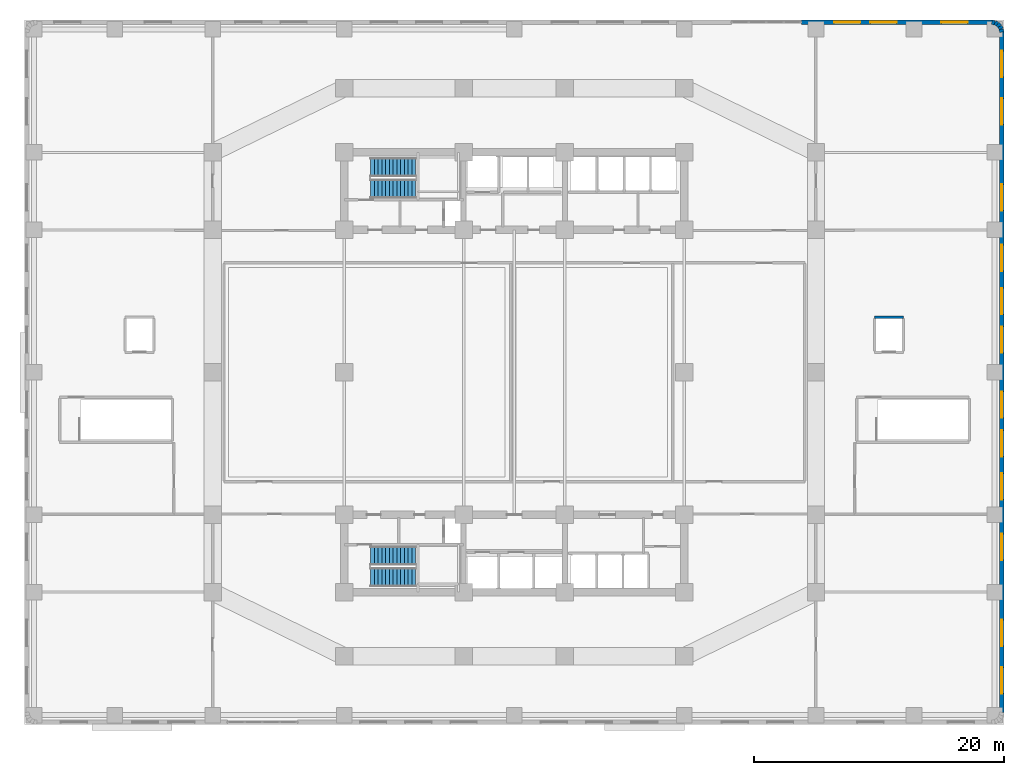
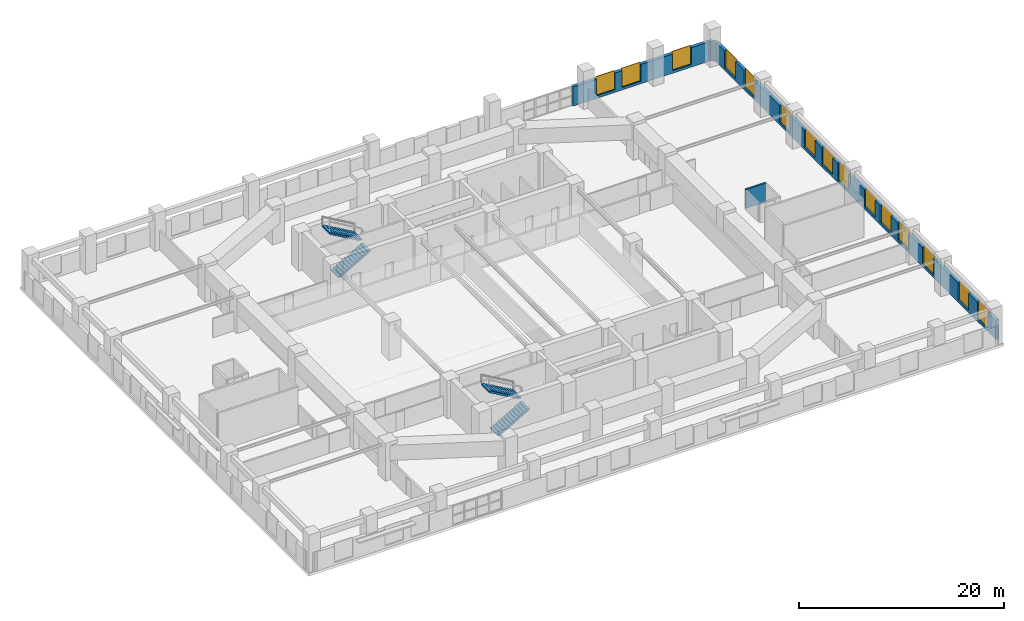
# One storey, part 10 of 13: 15 windows, 8 walls, 4 stair flights, 15 openings, 2 elements without a shape of their own.
"""IFC4 building model written with IfcOpenShell, lengths in metres."""

import ifcopenshell
import ifcopenshell.guid

model = None  # the IFC model being written
_history = None  # IfcOwnerHistory: only IFC2X3 demands one
_inside = {}  # id of a spatial element -> (the spatial element, [elements in it])
_under = {}  # id of a project, library or spatial element -> (it, [spatial elements below it])
_declared = {}  # id of a project -> (the project, [libraries it declares])
_typed = {}  # id of a type object -> (the type object, [elements of that type])
_made_of = {}  # id of a material, layer set ... -> (it, [elements and type objects made of it])


def new_model(schema):
    """Start an empty IFC model of exactly this schema.

    Asked for "IFC4X3", IfcOpenShell would pick the latest addendum, in which some entities
    have other attributes; the version numbers below select the first issue.
    IFC2X3 requires an IfcOwnerHistory on every rooted entity: one is made here for all.
    """
    global model, _history
    if schema == "IFC4X3":
        model = ifcopenshell.file(schema_version=(4, 3, 0, 0))
    else:
        model = ifcopenshell.file(schema=schema)
    _inside.clear()
    _under.clear()
    _declared.clear()
    _typed.clear()
    _made_of.clear()
    _history = None
    if model.schema == "IFC2X3":
        org = make("IfcOrganization", Name="unknown")
        user = make(
            "IfcPersonAndOrganization",
            ThePerson=make("IfcPerson", FamilyName="unknown"),
            TheOrganization=org,
        )
        app = make(
            "IfcApplication",
            ApplicationDeveloper=org,
            Version="unknown",
            ApplicationFullName="unknown",
            ApplicationIdentifier="unknown",
        )
        _history = make(
            "IfcOwnerHistory",
            OwningUser=user,
            OwningApplication=app,
            ChangeAction="ADDED",
            CreationDate=0,
        )
    return model


def make(cls, **values):
    """One entity of the class cls with the attributes given. An attribute that is None is left unset."""
    return model.create_entity(
        cls, **{name: value for name, value in values.items() if value is not None}
    )


def rooted(cls, **values):
    """An entity with a GlobalId (a new one), such as an element, a storey or a relation."""
    return make(cls, GlobalId=ifcopenshell.guid.new(), OwnerHistory=_history, **values)


def si_unit(unit_type, name, prefix=None):
    """IfcSIUnit, for example si_unit("LENGTHUNIT", "METRE", prefix="MILLI")."""
    return make("IfcSIUnit", UnitType=unit_type, Prefix=prefix, Name=name)


def assignment(units):
    """IfcUnitAssignment: the units of a project."""
    return None if units is None else make("IfcUnitAssignment", Units=units)


def point(xyz):
    """IfcCartesianPoint."""
    return None if xyz is None else make("IfcCartesianPoint", Coordinates=xyz)


def direction(xyz):
    """IfcDirection."""
    return None if xyz is None else make("IfcDirection", DirectionRatios=xyz)


def frame(location, z_axis=None, x_axis=None):
    """IfcAxis2Placement3D, a coordinate frame: its origin and axes. An axis left out is left unset."""
    return make(
        "IfcAxis2Placement3D",
        Location=point(location),
        Axis=direction(z_axis),
        RefDirection=direction(x_axis),
    )


def frame_2d(location, x_axis=None):
    """IfcAxis2Placement2D, a coordinate frame in the plane: its origin and x axis."""
    return make(
        "IfcAxis2Placement2D", Location=point(location), RefDirection=direction(x_axis)
    )


def origin():
    """The frame at (0, 0, 0) with its axes left unset."""
    return frame((0.0, 0.0, 0.0))


def place(relative_to, where):
    """IfcLocalPlacement: puts the frame where relative to a parent placement (None: the world)."""
    return make(
        "IfcLocalPlacement", PlacementRelTo=relative_to, RelativePlacement=where
    )


def context(
    kind, dimensions, precision=None, world=None, true_north=None, identifier=None
):
    """IfcGeometricRepresentationContext, for example the 3D "Model" context."""
    return make(
        "IfcGeometricRepresentationContext",
        ContextIdentifier=identifier,
        ContextType=kind,
        CoordinateSpaceDimension=dimensions,
        Precision=precision,
        WorldCoordinateSystem=world,
        TrueNorth=true_north,
    )


def subcontext(parent, identifier, kind, view, scale=None):
    """IfcGeometricRepresentationSubContext, for example "Body" below "Model"."""
    return make(
        "IfcGeometricRepresentationSubContext",
        ContextIdentifier=identifier,
        ContextType=kind,
        ParentContext=parent,
        TargetScale=scale,
        TargetView=view,
    )


def project(units=None, contexts=None):
    """IfcProject with its units and contexts."""
    return rooted(
        "IfcProject",
        Name="project",
        RepresentationContexts=contexts,
        UnitsInContext=assignment(units),
    )


def spatial(cls, under=None, at=None, **own):
    """A site, building, storey or space (cls), placed at a placement, below another one or the project."""
    s = rooted(cls, ObjectPlacement=at, **own)
    if under is not None:
        _under.setdefault(under.id(), (under, []))[1].append(s)
    return s


def polyline(points):
    """IfcPolyline through the points."""
    return make("IfcPolyline", Points=[point(p) for p in points])


def profile(cls, at=None, kind="AREA", **sizes):
    """A parametric profile (cls). Its sizes go by their IFC names, for example OverallWidth=200.0."""
    return make(cls, ProfileType=kind, Position=at, **sizes)


def rectangle(**sizes):
    """IfcRectangleProfileDef."""
    return profile("IfcRectangleProfileDef", **sizes)


def outline(outer, holes=None, kind="AREA"):
    """IfcArbitraryClosedProfileDef: a profile drawn as a closed curve; with holes, ...WithVoids."""
    if holes is None:
        return make("IfcArbitraryClosedProfileDef", ProfileType=kind, OuterCurve=outer)
    return make(
        "IfcArbitraryProfileDefWithVoids",
        ProfileType=kind,
        OuterCurve=outer,
        InnerCurves=holes,
    )


def extrude(swept, where, along, depth):
    """IfcExtrudedAreaSolid: the profile swept, set in the frame where, extruded along a direction by depth."""
    return make(
        "IfcExtrudedAreaSolid",
        SweptArea=swept,
        Position=where,
        ExtrudedDirection=direction(along),
        Depth=depth,
    )


def shape(context_of_items, identifier, shape_type, items):
    """IfcShapeRepresentation: the items that make up one representation, for example the "Body"."""
    return make(
        "IfcShapeRepresentation",
        ContextOfItems=context_of_items,
        RepresentationIdentifier=identifier,
        RepresentationType=shape_type,
        Items=items,
    )


def material(Name=None, Category=None):
    """IfcMaterial."""
    return make("IfcMaterial", Name=Name, Category=Category)


def layer(
    of_material, thickness, ventilated=None, Name=None, Category=None, Priority=None
):
    """IfcMaterialLayer: one layer of a wall or slab, of a material (None: an air gap)."""
    return make(
        "IfcMaterialLayer",
        Material=of_material,
        LayerThickness=thickness,
        IsVentilated=ventilated,
        Name=Name,
        Category=Category,
        Priority=Priority,
    )


def layer_set(layers, Name=None):
    """IfcMaterialLayerSet."""
    return make("IfcMaterialLayerSet", MaterialLayers=layers, LayerSetName=Name)


def made_of(thing, what):
    """Note that an element or type object is made of a material, layer set ...; save() writes the relation."""
    if what is not None:
        _made_of.setdefault(what.id(), (what, []))[1].append(thing)
    return thing


def type_object(cls, material=None, **own):
    """A type object (cls), such as IfcWallType, which elements share."""
    return made_of(rooted(cls, **own), material)


def element(
    cls,
    number,
    at=None,
    inside=None,
    cuts=None,
    type_object=None,
    material=None,
    context=None,
    identifier="Body",
    shape_type=None,
    held_by="IfcProductDefinitionShape",
    body=None,
    shapes=None,
    **own,
):
    """One element of the class cls, such as IfcWall. Its Tag is "e" and its number.

    at: its placement. inside: the storey or other place that contains it. cuts: it is an
    opening in that element (IfcRelVoidsElement). A single representation is given by context,
    identifier, shape_type and body (its items); several are given by shapes. held_by: the class
    of the entity that holds the representations. save() writes the other relations.
    """
    e = rooted(cls, Tag="e%d" % number, ObjectPlacement=at, **own)
    if body is not None:
        shapes = [shape(context, identifier, shape_type, body)]
    if shapes is not None:
        e.Representation = make(held_by, Representations=shapes)
    if inside is not None:
        _inside.setdefault(inside.id(), (inside, []))[1].append(e)
    if cuts is not None:
        rooted(
            "IfcRelVoidsElement", RelatingBuildingElement=cuts, RelatedOpeningElement=e
        )
    if type_object is not None:
        _typed.setdefault(type_object.id(), (type_object, []))[1].append(e)
    return made_of(e, material)


def fill(opening, filler):
    """IfcRelFillsElement: the door or window that sits in an opening."""
    return rooted(
        "IfcRelFillsElement",
        RelatingOpeningElement=opening,
        RelatedBuildingElement=filler,
    )


def aggregate(whole, parts):
    """IfcRelAggregates: a whole, such as a stair, and the parts it consists of."""
    return rooted("IfcRelAggregates", RelatingObject=whole, RelatedObjects=parts)


def save(model, path):
    """Write the relations noted so far, then the file.

    IfcRelAggregates (storeys below a building ...), IfcRelContainedInSpatialStructure (elements
    in a storey), IfcRelDefinesByType, IfcRelAssociatesMaterial and IfcRelDeclares: one each for
    every whole, place, type object, material and project.
    """
    for whole, parts in _under.values():
        aggregate(whole, parts)
    for where, things in _inside.values():
        rooted(
            "IfcRelContainedInSpatialStructure",
            RelatedElements=things,
            RelatingStructure=where,
        )
    for kind, things in _typed.values():
        rooted("IfcRelDefinesByType", RelatedObjects=things, RelatingType=kind)
    for what, things in _made_of.values():
        rooted("IfcRelAssociatesMaterial", RelatedObjects=things, RelatingMaterial=what)
    for by, libraries in _declared.values():
        rooted("IfcRelDeclares", RelatingContext=by, RelatedDefinitions=libraries)
    model.write(path)


model = new_model("IFC4")

# Units and contexts
model_context = context("Model", 3, precision=1e-05, world=origin(), true_north=direction((0.0, 1.0)))
body_context = subcontext(model_context, "Body", "Model", "MODEL_VIEW")
ifc_project = project(units=[si_unit("LENGTHUNIT", "METRE"), si_unit("AREAUNIT", "SQUARE_METRE"), si_unit("VOLUMEUNIT", "CUBIC_METRE"), si_unit("PLANEANGLEUNIT", "RADIAN"), si_unit("MASSUNIT", "GRAM", prefix="KILO")], contexts=[model_context])

# Site, building, storey
site_placement = place(None, origin())
site = spatial("IfcSite", under=ifc_project, at=site_placement, CompositionType="ELEMENT")
building_placement = place(site_placement, origin())
building = spatial("IfcBuilding", under=site, at=building_placement, Name="Svetorya Sky Lyceum", CompositionType="ELEMENT")
storey_placement = place(building_placement, frame((0.0, 0.0, 20.10009765625)))
storey = spatial("IfcBuildingStorey", under=building, at=storey_placement, Name="L04", CompositionType="ELEMENT", Elevation=20.10009765625)

# Wall, openings, windows
ifc_material_1 = material(Name="Putilovo limestone rainscreen on autoclaved cellular masonry", Category="masonry")
ifc_layer_1 = layer(ifc_material_1, 0.360107421875)
ifc_layer_set_1 = layer_set([ifc_layer_1], Name="Putilovo limestone rainscreen on autoclaved cellular masonry")
wall_type_1 = type_object("IfcWallType", Name="WL-EXT-360", PredefinedType="SOLIDWALL", material=ifc_layer_set_1)
wall_1_placement = place(storey_placement, frame((78.219970703125, 0.97998046875, 0.0), z_axis=(0.0, 0.0, 1.0), x_axis=(0.0, 1.0, 0.0)))
wall_1 = element("IfcWall", 1, at=wall_1_placement, inside=storey, type_object=wall_type_1, Name="L04 Limestone Exterior Wall 12M", PredefinedType="SOLIDWALL", context=body_context, shape_type="SweptSolid", body=[
    extrude(rectangle(XDim=54.43994140625, YDim=0.360107421875, at=frame_2d((27.219970703125, 0.0))), origin(), (0.0, 0.0, 1.0), 2.2998046875),
])
opening_1_placement = place(wall_1_placement, frame((1.497802734375, 0.0, 0.300048828125)))
opening_1 = element("IfcOpeningElement", 2, at=opening_1_placement, cuts=wall_1, Name="Opening W-S3", PredefinedType="OPENING", context=body_context, shape_type="SweptSolid", body=[
    extrude(rectangle(XDim=2.10009765625, YDim=2.199951171875, at=frame_2d((1.050048828125, 1.10009765625))), frame((0.0, 0.18994140625, 0.0), z_axis=(0.0, -1.0, 0.0), x_axis=(1.0, 0.0, 0.0)), (0.0, 0.0, 1.0), 0.380126953125),
])
opening_2_placement = place(wall_1_placement, frame((5.293701171875, 0.0, 0.300048828125)))
opening_2 = element("IfcOpeningElement", 3, at=opening_2_placement, cuts=wall_1, Name="Opening W-S3", PredefinedType="OPENING", context=body_context, shape_type="SweptSolid", body=[
    extrude(rectangle(XDim=2.10009765625, YDim=2.199951171875, at=frame_2d((1.050048828125, 1.10009765625))), frame((0.0, 0.18994140625, 0.0), z_axis=(0.0, -1.0, 0.0), x_axis=(1.0, 0.0, 0.0)), (0.0, 0.0, 1.0), 0.380126953125),
])
opening_3_placement = place(wall_1_placement, frame((12.18505859375, 0.0, 0.300048828125)))
opening_3 = element("IfcOpeningElement", 4, at=opening_3_placement, cuts=wall_1, Name="Opening W-S3", PredefinedType="OPENING", context=body_context, shape_type="SweptSolid", body=[
    extrude(rectangle(XDim=2.10009765625, YDim=2.199951171875, at=frame_2d((1.050048828125, 1.10009765625))), frame((0.0, 0.18994140625, 0.0), z_axis=(0.0, -1.0, 0.0), x_axis=(1.0, 0.0, 0.0)), (0.0, 0.0, 1.0), 0.380126953125),
])
opening_4_placement = place(wall_1_placement, frame((17.03076171875, 0.0, 0.300048828125)))
opening_4 = element("IfcOpeningElement", 5, at=opening_4_placement, cuts=wall_1, Name="Opening W-S3", PredefinedType="OPENING", context=body_context, shape_type="SweptSolid", body=[
    extrude(rectangle(XDim=2.10009765625, YDim=2.199951171875, at=frame_2d((1.050048828125, 1.10009765625))), frame((0.0, 0.18994140625, 0.0), z_axis=(0.0, -1.0, 0.0), x_axis=(1.0, 0.0, 0.0)), (0.0, 0.0, 1.0), 0.380126953125),
])
opening_5_placement = place(wall_1_placement, frame((20.476318359375, 0.0, 0.300048828125)))
opening_5 = element("IfcOpeningElement", 6, at=opening_5_placement, cuts=wall_1, Name="Opening W-S3", PredefinedType="OPENING", context=body_context, shape_type="SweptSolid", body=[
    extrude(rectangle(XDim=2.10009765625, YDim=2.199951171875, at=frame_2d((1.050048828125, 1.10009765625))), frame((0.0, 0.18994140625, 0.0), z_axis=(0.0, -1.0, 0.0), x_axis=(1.0, 0.0, 0.0)), (0.0, 0.0, 1.0), 0.380126953125),
])
opening_6_placement = place(wall_1_placement, frame((23.572021484375, 0.0, 0.300048828125)))
opening_6 = element("IfcOpeningElement", 7, at=opening_6_placement, cuts=wall_1, Name="Opening W-S3", PredefinedType="OPENING", context=body_context, shape_type="SweptSolid", body=[
    extrude(rectangle(XDim=2.10009765625, YDim=2.199951171875, at=frame_2d((1.050048828125, 1.10009765625))), frame((0.0, 0.18994140625, 0.0), z_axis=(0.0, -1.0, 0.0), x_axis=(1.0, 0.0, 0.0)), (0.0, 0.0, 1.0), 0.380126953125),
])
opening_7_placement = place(wall_1_placement, frame((28.767822265625, 0.0, 0.300048828125)))
opening_7 = element("IfcOpeningElement", 8, at=opening_7_placement, cuts=wall_1, Name="Opening W-S3", PredefinedType="OPENING", context=body_context, shape_type="SweptSolid", body=[
    extrude(rectangle(XDim=2.10009765625, YDim=2.199951171875, at=frame_2d((1.050048828125, 1.10009765625))), frame((0.0, 0.18994140625, 0.0), z_axis=(0.0, -1.0, 0.0), x_axis=(1.0, 0.0, 0.0)), (0.0, 0.0, 1.0), 0.380126953125),
])
opening_8_placement = place(wall_1_placement, frame((31.863525390625, 0.0, 0.300048828125)))
opening_8 = element("IfcOpeningElement", 9, at=opening_8_placement, cuts=wall_1, Name="Opening W-S3", PredefinedType="OPENING", context=body_context, shape_type="SweptSolid", body=[
    extrude(rectangle(XDim=2.10009765625, YDim=2.199951171875, at=frame_2d((1.050048828125, 1.10009765625))), frame((0.0, 0.18994140625, 0.0), z_axis=(0.0, -1.0, 0.0), x_axis=(1.0, 0.0, 0.0)), (0.0, 0.0, 1.0), 0.380126953125),
])
opening_9_placement = place(wall_1_placement, frame((35.309326171875, 0.0, 0.300048828125)))
opening_9 = element("IfcOpeningElement", 10, at=opening_9_placement, cuts=wall_1, Name="Opening W-S3", PredefinedType="OPENING", context=body_context, shape_type="SweptSolid", body=[
    extrude(rectangle(XDim=2.10009765625, YDim=2.199951171875, at=frame_2d((1.050048828125, 1.10009765625))), frame((0.0, 0.18994140625, 0.0), z_axis=(0.0, -1.0, 0.0), x_axis=(1.0, 0.0, 0.0)), (0.0, 0.0, 1.0), 0.380126953125),
])
opening_10_placement = place(wall_1_placement, frame((40.155029296875, 0.0, 0.300048828125)))
opening_10 = element("IfcOpeningElement", 11, at=opening_10_placement, cuts=wall_1, Name="Opening W-S3", PredefinedType="OPENING", context=body_context, shape_type="SweptSolid", body=[
    extrude(rectangle(XDim=2.10009765625, YDim=2.199951171875, at=frame_2d((1.050048828125, 1.10009765625))), frame((0.0, 0.18994140625, 0.0), z_axis=(0.0, -1.0, 0.0), x_axis=(1.0, 0.0, 0.0)), (0.0, 0.0, 1.0), 0.380126953125),
])
opening_11_placement = place(wall_1_placement, frame((47.04638671875, 0.0, 0.300048828125)))
opening_11 = element("IfcOpeningElement", 12, at=opening_11_placement, cuts=wall_1, Name="Opening W-S3", PredefinedType="OPENING", context=body_context, shape_type="SweptSolid", body=[
    extrude(rectangle(XDim=2.10009765625, YDim=2.199951171875, at=frame_2d((1.050048828125, 1.10009765625))), frame((0.0, 0.18994140625, 0.0), z_axis=(0.0, -1.0, 0.0), x_axis=(1.0, 0.0, 0.0)), (0.0, 0.0, 1.0), 0.380126953125),
])
opening_12_placement = place(wall_1_placement, frame((50.842041015625, 0.0, 0.300048828125)))
opening_12 = element("IfcOpeningElement", 13, at=opening_12_placement, cuts=wall_1, Name="Opening W-S3", PredefinedType="OPENING", context=body_context, shape_type="SweptSolid", body=[
    extrude(rectangle(XDim=2.10009765625, YDim=2.199951171875, at=frame_2d((1.050048828125, 1.10009765625))), frame((0.0, 0.18994140625, 0.0), z_axis=(0.0, -1.0, 0.0), x_axis=(1.0, 0.0, 0.0)), (0.0, 0.0, 1.0), 0.380126953125),
])
ifc_material_2 = material(Name="Thermally broken aluminium frame with triple low-E glazing", Category="aluminium")
window_type = type_object("IfcWindowType", Name="WN-SCH-210", PartitioningType="TRIPLE_PANEL_VERTICAL", PredefinedType="WINDOW", material=ifc_material_2)
window_1_placement = place(opening_1_placement, origin())
window_1 = element("IfcWindow", 14, at=window_1_placement, inside=storey, type_object=window_type, Name="L04 Facade Window W-S3.12M.1", OverallHeight=2.199951171875, OverallWidth=2.10009765625, PartitioningType="SINGLE_PANEL", PredefinedType="WINDOW", context=body_context, shape_type="SweptSolid", body=[
    extrude(rectangle(XDim=2.10009765625, YDim=2.199951171875, at=frame_2d((1.050048828125, 1.10009765625))), frame((0.0, 0.030029296875, 0.0), z_axis=(0.0, -1.0, 0.0), x_axis=(1.0, 0.0, 0.0)), (0.0, 0.0, 1.0), 0.06005859375),
])
fill(opening_1, window_1)
window_2_placement = place(opening_2_placement, origin())
window_2 = element("IfcWindow", 15, at=window_2_placement, inside=storey, type_object=window_type, Name="L04 Facade Window W-S3.12M.2", OverallHeight=2.199951171875, OverallWidth=2.10009765625, PartitioningType="SINGLE_PANEL", PredefinedType="WINDOW", context=body_context, shape_type="SweptSolid", body=[
    extrude(rectangle(XDim=2.10009765625, YDim=2.199951171875, at=frame_2d((1.050048828125, 1.10009765625))), frame((0.0, 0.030029296875, 0.0), z_axis=(0.0, -1.0, 0.0), x_axis=(1.0, 0.0, 0.0)), (0.0, 0.0, 1.0), 0.06005859375),
])
fill(opening_2, window_2)
window_3_placement = place(opening_3_placement, origin())
window_3 = element("IfcWindow", 16, at=window_3_placement, inside=storey, type_object=window_type, Name="L04 Facade Window W-S3.12M.3", OverallHeight=2.199951171875, OverallWidth=2.10009765625, PartitioningType="SINGLE_PANEL", PredefinedType="WINDOW", context=body_context, shape_type="SweptSolid", body=[
    extrude(rectangle(XDim=2.10009765625, YDim=2.199951171875, at=frame_2d((1.050048828125, 1.10009765625))), frame((0.0, 0.030029296875, 0.0), z_axis=(0.0, -1.0, 0.0), x_axis=(1.0, 0.0, 0.0)), (0.0, 0.0, 1.0), 0.06005859375),
])
fill(opening_3, window_3)
window_4_placement = place(opening_4_placement, origin())
window_4 = element("IfcWindow", 17, at=window_4_placement, inside=storey, type_object=window_type, Name="L04 Facade Window W-S3.12M.4", OverallHeight=2.199951171875, OverallWidth=2.10009765625, PartitioningType="SINGLE_PANEL", PredefinedType="WINDOW", context=body_context, shape_type="SweptSolid", body=[
    extrude(rectangle(XDim=2.10009765625, YDim=2.199951171875, at=frame_2d((1.050048828125, 1.10009765625))), frame((0.0, 0.030029296875, 0.0), z_axis=(0.0, -1.0, 0.0), x_axis=(1.0, 0.0, 0.0)), (0.0, 0.0, 1.0), 0.06005859375),
])
fill(opening_4, window_4)
window_5_placement = place(opening_5_placement, origin())
window_5 = element("IfcWindow", 18, at=window_5_placement, inside=storey, type_object=window_type, Name="L04 Facade Window W-S3.12M.5", OverallHeight=2.199951171875, OverallWidth=2.10009765625, PartitioningType="SINGLE_PANEL", PredefinedType="WINDOW", context=body_context, shape_type="SweptSolid", body=[
    extrude(rectangle(XDim=2.10009765625, YDim=2.199951171875, at=frame_2d((1.050048828125, 1.10009765625))), frame((0.0, 0.030029296875, 0.0), z_axis=(0.0, -1.0, 0.0), x_axis=(1.0, 0.0, 0.0)), (0.0, 0.0, 1.0), 0.06005859375),
])
fill(opening_5, window_5)
window_6_placement = place(opening_6_placement, origin())
window_6 = element("IfcWindow", 19, at=window_6_placement, inside=storey, type_object=window_type, Name="L04 Facade Window W-S3.12M.6", OverallHeight=2.199951171875, OverallWidth=2.10009765625, PartitioningType="SINGLE_PANEL", PredefinedType="WINDOW", context=body_context, shape_type="SweptSolid", body=[
    extrude(rectangle(XDim=2.10009765625, YDim=2.199951171875, at=frame_2d((1.050048828125, 1.10009765625))), frame((0.0, 0.030029296875, 0.0), z_axis=(0.0, -1.0, 0.0), x_axis=(1.0, 0.0, 0.0)), (0.0, 0.0, 1.0), 0.06005859375),
])
fill(opening_6, window_6)
window_7_placement = place(opening_7_placement, origin())
window_7 = element("IfcWindow", 20, at=window_7_placement, inside=storey, type_object=window_type, Name="L04 Facade Window W-S3.12M.7", OverallHeight=2.199951171875, OverallWidth=2.10009765625, PartitioningType="SINGLE_PANEL", PredefinedType="WINDOW", context=body_context, shape_type="SweptSolid", body=[
    extrude(rectangle(XDim=2.10009765625, YDim=2.199951171875, at=frame_2d((1.050048828125, 1.10009765625))), frame((0.0, 0.030029296875, 0.0), z_axis=(0.0, -1.0, 0.0), x_axis=(1.0, 0.0, 0.0)), (0.0, 0.0, 1.0), 0.06005859375),
])
fill(opening_7, window_7)
window_8_placement = place(opening_8_placement, origin())
window_8 = element("IfcWindow", 21, at=window_8_placement, inside=storey, type_object=window_type, Name="L04 Facade Window W-S3.12M.8", OverallHeight=2.199951171875, OverallWidth=2.10009765625, PartitioningType="SINGLE_PANEL", PredefinedType="WINDOW", context=body_context, shape_type="SweptSolid", body=[
    extrude(rectangle(XDim=2.10009765625, YDim=2.199951171875, at=frame_2d((1.050048828125, 1.10009765625))), frame((0.0, 0.030029296875, 0.0), z_axis=(0.0, -1.0, 0.0), x_axis=(1.0, 0.0, 0.0)), (0.0, 0.0, 1.0), 0.06005859375),
])
fill(opening_8, window_8)
window_9_placement = place(opening_9_placement, origin())
window_9 = element("IfcWindow", 22, at=window_9_placement, inside=storey, type_object=window_type, Name="L04 Facade Window W-S3.12M.9", OverallHeight=2.199951171875, OverallWidth=2.10009765625, PartitioningType="SINGLE_PANEL", PredefinedType="WINDOW", context=body_context, shape_type="SweptSolid", body=[
    extrude(rectangle(XDim=2.10009765625, YDim=2.199951171875, at=frame_2d((1.050048828125, 1.10009765625))), frame((0.0, 0.030029296875, 0.0), z_axis=(0.0, -1.0, 0.0), x_axis=(1.0, 0.0, 0.0)), (0.0, 0.0, 1.0), 0.06005859375),
])
fill(opening_9, window_9)
window_10_placement = place(opening_10_placement, origin())
window_10 = element("IfcWindow", 23, at=window_10_placement, inside=storey, type_object=window_type, Name="L04 Facade Window W-S3.12M.10", OverallHeight=2.199951171875, OverallWidth=2.10009765625, PartitioningType="SINGLE_PANEL", PredefinedType="WINDOW", context=body_context, shape_type="SweptSolid", body=[
    extrude(rectangle(XDim=2.10009765625, YDim=2.199951171875, at=frame_2d((1.050048828125, 1.10009765625))), frame((0.0, 0.030029296875, 0.0), z_axis=(0.0, -1.0, 0.0), x_axis=(1.0, 0.0, 0.0)), (0.0, 0.0, 1.0), 0.06005859375),
])
fill(opening_10, window_10)
window_11_placement = place(opening_11_placement, origin())
window_11 = element("IfcWindow", 24, at=window_11_placement, inside=storey, type_object=window_type, Name="L04 Facade Window W-S3.12M.11", OverallHeight=2.199951171875, OverallWidth=2.10009765625, PartitioningType="SINGLE_PANEL", PredefinedType="WINDOW", context=body_context, shape_type="SweptSolid", body=[
    extrude(rectangle(XDim=2.10009765625, YDim=2.199951171875, at=frame_2d((1.050048828125, 1.10009765625))), frame((0.0, 0.030029296875, 0.0), z_axis=(0.0, -1.0, 0.0), x_axis=(1.0, 0.0, 0.0)), (0.0, 0.0, 1.0), 0.06005859375),
])
fill(opening_11, window_11)
window_12_placement = place(opening_12_placement, origin())
window_12 = element("IfcWindow", 25, at=window_12_placement, inside=storey, type_object=window_type, Name="L04 Facade Window W-S3.12M.12", OverallHeight=2.199951171875, OverallWidth=2.10009765625, PartitioningType="SINGLE_PANEL", PredefinedType="WINDOW", context=body_context, shape_type="SweptSolid", body=[
    extrude(rectangle(XDim=2.10009765625, YDim=2.199951171875, at=frame_2d((1.050048828125, 1.10009765625))), frame((0.0, 0.030029296875, 0.0), z_axis=(0.0, -1.0, 0.0), x_axis=(1.0, 0.0, 0.0)), (0.0, 0.0, 1.0), 0.06005859375),
])
fill(opening_12, window_12)

# Walls
wall_2_placement = place(storey_placement, frame((78.219970703125, 55.419921875, 0.0), z_axis=(0.0, 0.0, 1.0), x_axis=(-0.156012644899, 0.987755058014, 0.0)))
element("IfcWall", 26, at=wall_2_placement, inside=storey, type_object=wall_type_1, Name="L04 Limestone Exterior Wall 13M", PredefinedType="SOLIDWALL", context=body_context, shape_type="SweptSolid", body=[
    extrude(rectangle(XDim=0.25048828125, YDim=0.360107421875, at=frame_2d((0.125244140625, 0.0))), origin(), (0.0, 0.0, 1.0), 2.2998046875),
])
for number, where, z_axis, x_axis, name in (
    (27, (78.180908203125, 55.667236328125, 0.0), (0.0, 0.0, 1.0), (-0.45461251152, 0.89068931978, 0.0), "L04 Limestone Exterior Wall 14M"),
    (28, (78.067138671875, 55.89013671875, 0.0), (0.0, 0.0, 1.0), (-0.707106781187, 0.707106781187, 0.0), "L04 Limestone Exterior Wall 15M"),
    (29, (77.89013671875, 56.067138671875, 0.0), (0.0, 0.0, 1.0), (-0.89068931978, 0.45461251152, 0.0), "L04 Limestone Exterior Wall 16M"),
):
    element("IfcWall", number, at=place(storey_placement, frame(where, z_axis=z_axis, x_axis=x_axis)), inside=storey, type_object=wall_type_1, Name=name, PredefinedType="SOLIDWALL", context=body_context, shape_type="SweptSolid", body=[
        extrude(rectangle(XDim=0.250244140625, YDim=0.360107421875, at=frame_2d((0.125, 0.0))), origin(), (0.0, 0.0, 1.0), 2.2998046875),
    ])
wall_3_placement = place(storey_placement, frame((77.667236328125, 56.180908203125, 0.0), z_axis=(0.0, 0.0, 1.0), x_axis=(-0.987755058014, 0.156012644899, 0.0)))
element("IfcWall", 30, at=wall_3_placement, inside=storey, type_object=wall_type_1, Name="L04 Limestone Exterior Wall 17M", PredefinedType="SOLIDWALL", context=body_context, shape_type="SweptSolid", body=[
    extrude(rectangle(XDim=0.25048828125, YDim=0.360107421875, at=frame_2d((0.125244140625, 0.0))), origin(), (0.0, 0.0, 1.0), 2.2998046875),
])

# Wall, openings, windows
wall_4_placement = place(storey_placement, frame((77.419921875, 56.219970703125, 0.0), z_axis=(0.0, 0.0, 1.0), x_axis=(-1.0, 0.0, 0.0)))
wall_4 = element("IfcWall", 31, at=wall_4_placement, inside=storey, type_object=wall_type_1, Name="L04 Limestone Exterior Wall 18A", PredefinedType="SOLIDWALL", context=body_context, shape_type="SweptSolid", body=[
    extrude(rectangle(XDim=15.25, YDim=0.360107421875, at=frame_2d((7.625, 0.0))), origin(), (0.0, 0.0, 1.0), 2.2998046875),
])
opening_13_placement = place(wall_4_placement, frame((1.925048828125, 0.0, 0.300048828125)))
opening_13 = element("IfcOpeningElement", 32, at=opening_13_placement, cuts=wall_4, Name="Opening W-S3", PredefinedType="OPENING", context=body_context, shape_type="SweptSolid", body=[
    extrude(rectangle(XDim=2.10009765625, YDim=2.199951171875, at=frame_2d((1.050048828125, 1.10009765625))), frame((0.0, 0.18994140625, 0.0), z_axis=(0.0, -1.0, 0.0), x_axis=(1.0, 0.0, 0.0)), (0.0, 0.0, 1.0), 0.380126953125),
])
opening_14_placement = place(wall_4_placement, frame((7.625, 0.0, 0.300048828125)))
opening_14 = element("IfcOpeningElement", 33, at=opening_14_placement, cuts=wall_4, Name="Opening W-S3", PredefinedType="OPENING", context=body_context, shape_type="SweptSolid", body=[
    extrude(rectangle(XDim=2.10009765625, YDim=2.199951171875, at=frame_2d((1.050048828125, 1.10009765625))), frame((0.0, 0.18994140625, 0.0), z_axis=(0.0, -1.0, 0.0), x_axis=(1.0, 0.0, 0.0)), (0.0, 0.0, 1.0), 0.380126953125),
])
opening_15_placement = place(wall_4_placement, frame((10.52490234375, 0.0, 0.300048828125)))
opening_15 = element("IfcOpeningElement", 34, at=opening_15_placement, cuts=wall_4, Name="Opening W-S3", PredefinedType="OPENING", context=body_context, shape_type="SweptSolid", body=[
    extrude(rectangle(XDim=2.10009765625, YDim=2.199951171875, at=frame_2d((1.050048828125, 1.10009765625))), frame((0.0, 0.18994140625, 0.0), z_axis=(0.0, -1.0, 0.0), x_axis=(1.0, 0.0, 0.0)), (0.0, 0.0, 1.0), 0.380126953125),
])
window_13_placement = place(opening_13_placement, origin())
window_13 = element("IfcWindow", 35, at=window_13_placement, inside=storey, type_object=window_type, Name="L04 Facade Window W-S3.18A.1", OverallHeight=2.199951171875, OverallWidth=2.10009765625, PartitioningType="SINGLE_PANEL", PredefinedType="WINDOW", context=body_context, shape_type="SweptSolid", body=[
    extrude(rectangle(XDim=2.10009765625, YDim=2.199951171875, at=frame_2d((1.050048828125, 1.10009765625))), frame((0.0, 0.030029296875, 0.0), z_axis=(0.0, -1.0, 0.0), x_axis=(1.0, 0.0, 0.0)), (0.0, 0.0, 1.0), 0.06005859375),
])
fill(opening_13, window_13)
window_14_placement = place(opening_14_placement, origin())
window_14 = element("IfcWindow", 36, at=window_14_placement, inside=storey, type_object=window_type, Name="L04 Facade Window W-S3.18A.2", OverallHeight=2.199951171875, OverallWidth=2.10009765625, PartitioningType="SINGLE_PANEL", PredefinedType="WINDOW", context=body_context, shape_type="SweptSolid", body=[
    extrude(rectangle(XDim=2.10009765625, YDim=2.199951171875, at=frame_2d((1.050048828125, 1.10009765625))), frame((0.0, 0.030029296875, 0.0), z_axis=(0.0, -1.0, 0.0), x_axis=(1.0, 0.0, 0.0)), (0.0, 0.0, 1.0), 0.06005859375),
])
fill(opening_14, window_14)
window_15_placement = place(opening_15_placement, origin())
window_15 = element("IfcWindow", 37, at=window_15_placement, inside=storey, type_object=window_type, Name="L04 Facade Window W-S3.18A.3", OverallHeight=2.199951171875, OverallWidth=2.10009765625, PartitioningType="SINGLE_PANEL", PredefinedType="WINDOW", context=body_context, shape_type="SweptSolid", body=[
    extrude(rectangle(XDim=2.10009765625, YDim=2.199951171875, at=frame_2d((1.050048828125, 1.10009765625))), frame((0.0, 0.030029296875, 0.0), z_axis=(0.0, -1.0, 0.0), x_axis=(1.0, 0.0, 0.0)), (0.0, 0.0, 1.0), 0.06005859375),
])
fill(opening_15, window_15)

# Wall
ifc_material_3 = material(Name="Autoclaved cellular masonry blockwork with gypsum plaster", Category="masonry")
ifc_layer_2 = layer(ifc_material_3, 0.199951171875)
ifc_layer_set_2 = layer_set([ifc_layer_2], Name="Autoclaved cellular masonry blockwork with gypsum plaster")
wall_type_2 = type_object("IfcWallType", Name="WL-PART-200", PredefinedType="PARTITIONING", material=ifc_layer_set_2)
wall_5_placement = place(storey_placement, frame((68.050048828125, 32.60009765625, 0.0), z_axis=(0.0, 0.0, 1.0), x_axis=(1.0, 0.0, 0.0)))
element("IfcWall", 38, at=wall_5_placement, inside=storey, type_object=wall_type_2, Name="L04 Interior Partition SHL-N-SCHL2", PredefinedType="PARTITIONING", context=body_context, shape_type="SweptSolid", body=[
    extrude(rectangle(XDim=2.300048828125, YDim=0.199951171875, at=frame_2d((1.14990234375, 0.0))), origin(), (0.0, 0.0, 1.0), 2.260009765625),
])

# Stair, stair flights
ifc_material_4 = material(Name="Concrete C40/50", Category="concrete")
stair_type_1 = type_object("IfcStairType", Name="STR-ST-N", PredefinedType="HALF_TURN_STAIR", material=ifc_material_4)
stair_1_placement = place(storey_placement, origin())
stair_1 = element("IfcStair", 39, at=stair_1_placement, inside=storey, type_object=stair_type_1, Name="L04 North Core Smoke-Free Exit Stair N3", PredefinedType="HALF_TURN_STAIR")
stair_flight_type_1 = type_object("IfcStairFlightType", Name="SFL-ST-N", PredefinedType="STRAIGHT", material=ifc_material_4)
stair_flight_1_placement = place(storey_placement, frame((27.699951171875, 42.89990234375, 0.0), z_axis=(0.0, 0.0, 1.0), x_axis=(1.0, 0.0, 0.0)))
stair_flight_1 = element("IfcStairFlight", 40, at=stair_flight_1_placement, type_object=stair_flight_type_1, Name="ST-N flight 1", NumberOfRisers=13, NumberOfTreads=12, PredefinedType="STRAIGHT", RiserHeight=0.173076923, TreadLength=0.3, context=body_context, shape_type="SweptSolid", body=[
    extrude(outline(polyline([(0.0, 0.0), (0.0, 0.173095703125), (0.300048828125, 0.173095703125), (0.300048828125, 0.34619140625), (0.60009765625, 0.34619140625), (0.60009765625, 0.519287109375), (0.89990234375, 0.519287109375), (0.89990234375, 0.6923828125), (1.199951171875, 0.6923828125), (1.199951171875, 0.865478515625), (1.5, 0.865478515625), (1.5, 1.03857421875), (1.800048828125, 1.03857421875), (1.800048828125, 1.21142578125), (2.10009765625, 1.21142578125), (2.10009765625, 1.384521484375), (2.39990234375, 1.384521484375), (2.39990234375, 1.5576171875), (2.699951171875, 1.5576171875), (2.699951171875, 1.730712890625), (3.0, 1.730712890625), (3.0, 1.90380859375), (3.300048828125, 1.90380859375), (3.300048828125, 2.076904296875), (3.60009765625, 2.076904296875), (3.60009765625, 2.25), (3.60009765625, 1.90380859375), (0.300048828125, 0.0), (0.0, 0.0)])), frame((0.0, 0.75, 0.0), z_axis=(0.0, -1.0, 0.0), x_axis=(1.0, 0.0, 0.0)), (0.0, 0.0, 1.0), 1.5),
])
stair_flight_2_placement = place(storey_placement, frame((31.300048828125, 44.60009765625, 2.25), z_axis=(0.0, 0.0, 1.0), x_axis=(-1.0, 0.0, 0.0)))
stair_flight_2 = element("IfcStairFlight", 41, at=stair_flight_2_placement, type_object=stair_flight_type_1, Name="ST-N flight 2", NumberOfRisers=13, NumberOfTreads=12, PredefinedType="STRAIGHT", RiserHeight=0.173076923, TreadLength=0.3, context=body_context, shape_type="SweptSolid", body=[
    extrude(outline(polyline([(0.0, 0.0), (0.0, 0.173095703125), (0.300048828125, 0.173095703125), (0.300048828125, 0.34619140625), (0.60009765625, 0.34619140625), (0.60009765625, 0.519287109375), (0.89990234375, 0.519287109375), (0.89990234375, 0.6923828125), (1.199951171875, 0.6923828125), (1.199951171875, 0.865478515625), (1.5, 0.865478515625), (1.5, 1.03857421875), (1.800048828125, 1.03857421875), (1.800048828125, 1.21142578125), (2.10009765625, 1.21142578125), (2.10009765625, 1.384521484375), (2.39990234375, 1.384521484375), (2.39990234375, 1.5576171875), (2.699951171875, 1.5576171875), (2.699951171875, 1.730712890625), (3.0, 1.730712890625), (3.0, 1.90380859375), (3.300048828125, 1.90380859375), (3.300048828125, 2.076904296875), (3.60009765625, 2.076904296875), (3.60009765625, 2.25), (3.60009765625, 1.90380859375), (0.300048828125, 0.0), (0.0, 0.0)])), frame((0.0, 0.75, 0.0), z_axis=(0.0, -1.0, 0.0), x_axis=(1.0, 0.0, 0.0)), (0.0, 0.0, 1.0), 1.5),
])
aggregate(stair_1, [stair_flight_1, stair_flight_2])

stair_type_2 = type_object("IfcStairType", Name="STR-ST-S", PredefinedType="HALF_TURN_STAIR", material=ifc_material_4)
stair_2_placement = place(storey_placement, origin())
stair_2 = element("IfcStair", 42, at=stair_2_placement, inside=storey, type_object=stair_type_2, Name="L04 South Core Smoke-Free Exit Stair N2", PredefinedType="HALF_TURN_STAIR")
stair_flight_type_2 = type_object("IfcStairFlightType", Name="SFL-ST-S", PredefinedType="STRAIGHT", material=ifc_material_4)
stair_flight_3_placement = place(storey_placement, frame((27.699951171875, 11.800048828125, 0.0), z_axis=(0.0, 0.0, 1.0), x_axis=(1.0, 0.0, 0.0)))
stair_flight_3 = element("IfcStairFlight", 43, at=stair_flight_3_placement, type_object=stair_flight_type_2, Name="ST-S flight 1", NumberOfRisers=13, NumberOfTreads=12, PredefinedType="STRAIGHT", RiserHeight=0.173076923, TreadLength=0.3, context=body_context, shape_type="SweptSolid", body=[
    extrude(outline(polyline([(0.0, 0.0), (0.0, 0.173095703125), (0.300048828125, 0.173095703125), (0.300048828125, 0.34619140625), (0.60009765625, 0.34619140625), (0.60009765625, 0.519287109375), (0.89990234375, 0.519287109375), (0.89990234375, 0.6923828125), (1.199951171875, 0.6923828125), (1.199951171875, 0.865478515625), (1.5, 0.865478515625), (1.5, 1.03857421875), (1.800048828125, 1.03857421875), (1.800048828125, 1.21142578125), (2.10009765625, 1.21142578125), (2.10009765625, 1.384521484375), (2.39990234375, 1.384521484375), (2.39990234375, 1.5576171875), (2.699951171875, 1.5576171875), (2.699951171875, 1.730712890625), (3.0, 1.730712890625), (3.0, 1.90380859375), (3.300048828125, 1.90380859375), (3.300048828125, 2.076904296875), (3.60009765625, 2.076904296875), (3.60009765625, 2.25), (3.60009765625, 1.90380859375), (0.300048828125, 0.0), (0.0, 0.0)])), frame((0.0, 0.75, 0.0), z_axis=(0.0, -1.0, 0.0), x_axis=(1.0, 0.0, 0.0)), (0.0, 0.0, 1.0), 1.5),
])
stair_flight_4_placement = place(storey_placement, frame((31.300048828125, 13.5, 2.25), z_axis=(0.0, 0.0, 1.0), x_axis=(-1.0, 0.0, 0.0)))
stair_flight_4 = element("IfcStairFlight", 44, at=stair_flight_4_placement, type_object=stair_flight_type_2, Name="ST-S flight 2", NumberOfRisers=13, NumberOfTreads=12, PredefinedType="STRAIGHT", RiserHeight=0.173076923, TreadLength=0.3, context=body_context, shape_type="SweptSolid", body=[
    extrude(outline(polyline([(0.0, 0.0), (0.0, 0.173095703125), (0.300048828125, 0.173095703125), (0.300048828125, 0.34619140625), (0.60009765625, 0.34619140625), (0.60009765625, 0.519287109375), (0.89990234375, 0.519287109375), (0.89990234375, 0.6923828125), (1.199951171875, 0.6923828125), (1.199951171875, 0.865478515625), (1.5, 0.865478515625), (1.5, 1.03857421875), (1.800048828125, 1.03857421875), (1.800048828125, 1.21142578125), (2.10009765625, 1.21142578125), (2.10009765625, 1.384521484375), (2.39990234375, 1.384521484375), (2.39990234375, 1.5576171875), (2.699951171875, 1.5576171875), (2.699951171875, 1.730712890625), (3.0, 1.730712890625), (3.0, 1.90380859375), (3.300048828125, 1.90380859375), (3.300048828125, 2.076904296875), (3.60009765625, 2.076904296875), (3.60009765625, 2.25), (3.60009765625, 1.90380859375), (0.300048828125, 0.0), (0.0, 0.0)])), frame((0.0, 0.75, 0.0), z_axis=(0.0, -1.0, 0.0), x_axis=(1.0, 0.0, 0.0)), (0.0, 0.0, 1.0), 1.5),
])
aggregate(stair_2, [stair_flight_3, stair_flight_4])

save(model, "model.ifc")
